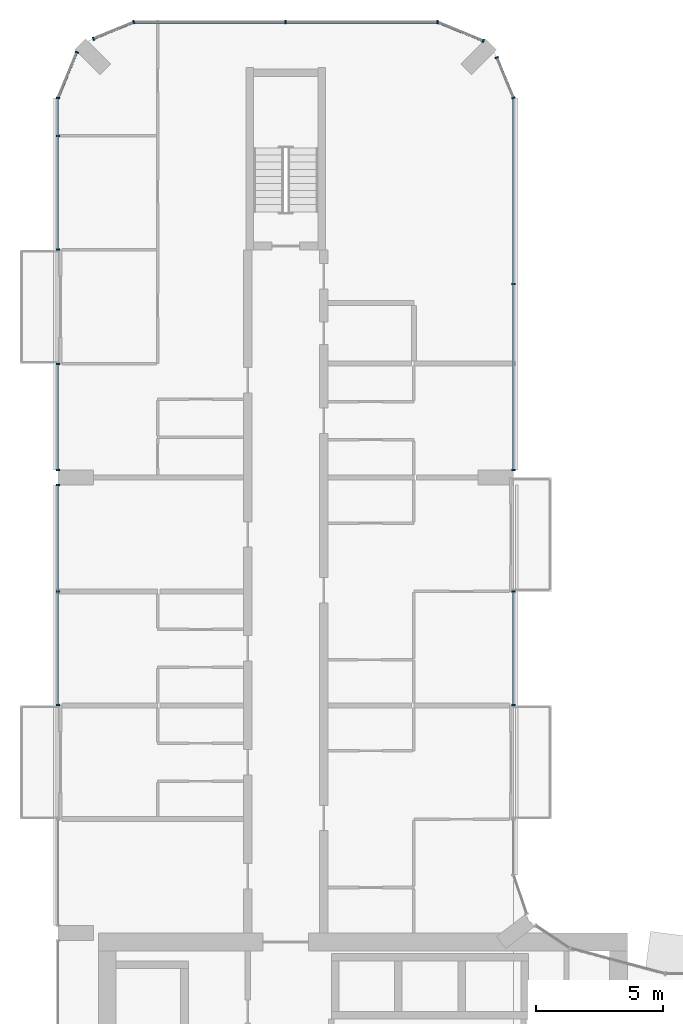
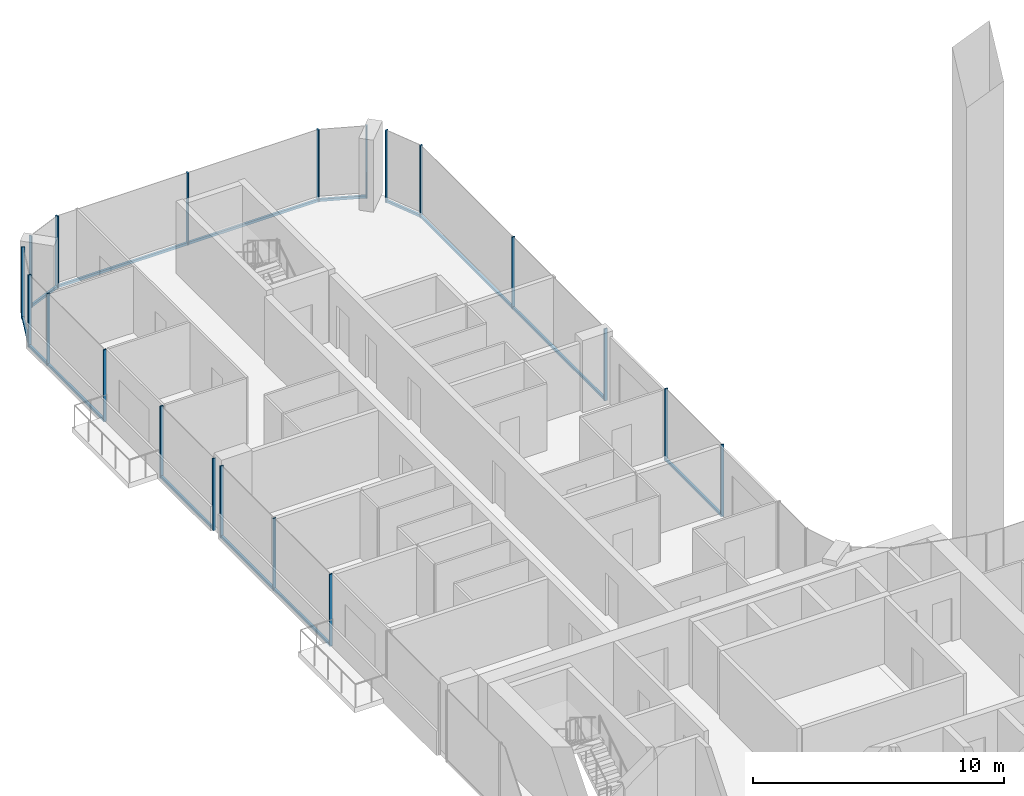
# One storey, part 6 of 27: 30 members, 10 elements without a shape of their own.
"""IFC4 building model written with IfcOpenShell, lengths in metres."""

from ifc_helpers import new_model, si_unit, direction, frame, origin, origin_2d, place, context, subcontext, project, spatial, rectangle, extrude, material, layer, layer_set, material_profile, profile_set, type_object, element, aggregate, save


model = new_model("IFC4")

# Units and contexts
model_context = context("Model", 3, precision=1e-05, world=origin(), true_north=direction((0.0, 1.0)))
body_context = subcontext(model_context, "Body", "Model", "MODEL_VIEW")
ifc_project = project(units=[si_unit("LENGTHUNIT", "METRE"), si_unit("AREAUNIT", "SQUARE_METRE"), si_unit("VOLUMEUNIT", "CUBIC_METRE"), si_unit("PLANEANGLEUNIT", "RADIAN"), si_unit("MASSUNIT", "GRAM", prefix="KILO")], contexts=[model_context])

# Site, building, storey
site_placement = place(None, origin())
site = spatial("IfcSite", under=ifc_project, at=site_placement, CompositionType="ELEMENT")
building_placement = place(site_placement, origin())
building = spatial("IfcBuilding", under=site, at=building_placement, Name="Plateau Cross Towers", CompositionType="ELEMENT")
storey_placement = place(building_placement, frame((0.0, 0.0, 78.300048828125)))
storey = spatial("IfcBuildingStorey", under=building, at=storey_placement, Name="L19", CompositionType="ELEMENT", Elevation=78.300048828125)

# Curtain wall, members
ifc_material_1 = material(Name="Dark low-iron glass", Category="glass")
ifc_layer = layer(ifc_material_1, 0.239990234375)
ifc_layer_set = layer_set([ifc_layer], Name="Dark low-iron glass")
curtain_wall_type = type_object("IfcCurtainWallType", Name="Curtain wall flush unitised CW-B", PredefinedType="NOTDEFINED", material=ifc_layer_set)
curtain_wall_1_placement = place(storey_placement, origin())
curtain_wall_1 = element("IfcCurtainWall", 1, at=curtain_wall_1_placement, inside=storey, type_object=curtain_wall_type, Name="ENV/A/L19/A180_270", PredefinedType="NOTDEFINED")
ifc_material_2 = material(Name="Black anodised aluminium", Category="aluminium")
ifc_material_profile_1 = material_profile(ifc_material_2, rectangle(XDim=0.06005859375, YDim=0.139892578125, at=origin_2d()), Name="MULLION 60x140")
ifc_profile_set_1 = profile_set([ifc_material_profile_1], Name="Black anodised aluminium")
member_type_1 = type_object("IfcMemberType", Name="Mullion 60x140 flush unitised", PredefinedType="MULLION", material=ifc_profile_set_1)
member_1_placement = place(storey_placement, frame((18.0, 27.010009765625, -0.25), z_axis=(0.0, 0.0, 1.0), x_axis=(0.0, 1.0, 0.0)))
member_1 = element("IfcMember", 2, at=member_1_placement, type_object=member_type_1, Name="CW-B mullion 1", PredefinedType="MULLION", context=body_context, shape_type="SweptSolid", body=[
    extrude(rectangle(XDim=0.06005859375, YDim=0.139892578125, at=origin_2d()), origin(), (0.0, 0.0, 1.0), 3.5),
])
member_2_placement = place(storey_placement, frame((18.0, 31.489990234375, -0.25), z_axis=(0.0, 0.0, 1.0), x_axis=(0.0, 1.0, 0.0)))
member_2 = element("IfcMember", 3, at=member_2_placement, type_object=member_type_1, Name="CW-B mullion 2", PredefinedType="MULLION", context=body_context, shape_type="SweptSolid", body=[
    extrude(rectangle(XDim=0.06005859375, YDim=0.139892578125, at=origin_2d()), origin(), (0.0, 0.0, 1.0), 3.5),
])

curtain_wall_2_placement = place(storey_placement, origin())
curtain_wall_2 = element("IfcCurtainWall", 4, at=curtain_wall_2_placement, inside=storey, type_object=curtain_wall_type, Name="ENV/A/L19/A180_363", PredefinedType="NOTDEFINED")
member_3_placement = place(storey_placement, frame((18.0, 36.300048828125, -0.25), z_axis=(0.0, 0.0, 1.0), x_axis=(0.0, 1.0, 0.0)))
member_3 = element("IfcMember", 5, at=member_3_placement, type_object=member_type_1, Name="CW-B mullion 1", PredefinedType="MULLION", context=body_context, shape_type="SweptSolid", body=[
    extrude(rectangle(XDim=0.06005859375, YDim=0.139892578125, at=origin_2d()), origin(), (0.0, 0.0, 1.0), 3.5),
])
member_4_placement = place(storey_placement, frame((18.0, 43.64990234375, -0.25), z_axis=(0.0, 0.0, 1.0), x_axis=(0.0, 1.0, 0.0)))
member_4 = element("IfcMember", 6, at=member_4_placement, type_object=member_type_1, Name="CW-B mullion 2", PredefinedType="MULLION", context=body_context, shape_type="SweptSolid", body=[
    extrude(rectangle(XDim=0.06005859375, YDim=0.139892578125, at=origin_2d()), origin(), (0.0, 0.0, 1.0), 3.5),
])

curtain_wall_3_placement = place(storey_placement, origin())
curtain_wall_3 = element("IfcCurtainWall", 7, at=curtain_wall_3_placement, inside=storey, type_object=curtain_wall_type, Name="ENV/A/L19/A180_510", PredefinedType="NOTDEFINED")
member_5_placement = place(storey_placement, frame((18.0, 51.0, -0.25), z_axis=(0.0, 0.0, 1.0), x_axis=(-0.382683612978, 0.923879457699, 0.0)))
member_5 = element("IfcMember", 8, at=member_5_placement, type_object=member_type_1, Name="CW-B mullion 1", PredefinedType="MULLION", context=body_context, shape_type="SweptSolid", body=[
    extrude(rectangle(XDim=0.06005859375, YDim=0.139892578125, at=origin_2d()), origin(), (0.0, 0.0, 1.0), 3.5),
])
member_6_placement = place(storey_placement, frame((17.338623046875, 52.5966796875, -0.25), z_axis=(0.0, 0.0, 1.0), x_axis=(-0.382683612978, 0.923879457699, 0.0)))
member_6 = element("IfcMember", 9, at=member_6_placement, type_object=member_type_1, Name="CW-B mullion 2", PredefinedType="MULLION", context=body_context, shape_type="SweptSolid", body=[
    extrude(rectangle(XDim=0.06005859375, YDim=0.139892578125, at=origin_2d()), origin(), (0.0, 0.0, 1.0), 3.5),
])

# Curtain wall, member
curtain_wall_4_placement = place(storey_placement, origin())
curtain_wall_4 = element("IfcCurtainWall", 10, at=curtain_wall_4_placement, inside=storey, type_object=curtain_wall_type, Name="ENV/A/L19/A168_533", PredefinedType="NOTDEFINED")
member_7_placement = place(storey_placement, frame((16.805908203125, 53.251953125, -0.25), z_axis=(0.0, 0.0, 1.0), x_axis=(-0.923879457699, 0.382683612978, 0.0)))
member_7 = element("IfcMember", 11, at=member_7_placement, type_object=member_type_1, Name="CW-B mullion 1", PredefinedType="MULLION", context=body_context, shape_type="SweptSolid", body=[
    extrude(rectangle(XDim=0.06005859375, YDim=0.139892578125, at=origin_2d()), origin(), (0.0, 0.0, 1.0), 3.5),
])

# Curtain wall, members
curtain_wall_5_placement = place(storey_placement, origin())
curtain_wall_5 = element("IfcCurtainWall", 12, at=curtain_wall_5_placement, inside=storey, type_object=curtain_wall_type, Name="ENV/A/L19/A150_540", PredefinedType="NOTDEFINED")
member_8_placement = place(storey_placement, frame((15.0, 54.0, -0.25), z_axis=(0.0, 0.0, 1.0), x_axis=(-1.0, 0.0, 0.0)))
member_8 = element("IfcMember", 13, at=member_8_placement, type_object=member_type_1, Name="CW-B mullion 1", PredefinedType="MULLION", context=body_context, shape_type="SweptSolid", body=[
    extrude(rectangle(XDim=0.06005859375, YDim=0.139892578125, at=origin_2d()), origin(), (0.0, 0.0, 1.0), 3.5),
])
member_9_placement = place(storey_placement, frame((9.0, 54.0, -0.25), z_axis=(0.0, 0.0, 1.0), x_axis=(-1.0, 0.0, 0.0)))
member_9 = element("IfcMember", 14, at=member_9_placement, type_object=member_type_1, Name="CW-B mullion 2", PredefinedType="MULLION", context=body_context, shape_type="SweptSolid", body=[
    extrude(rectangle(XDim=0.06005859375, YDim=0.139892578125, at=origin_2d()), origin(), (0.0, 0.0, 1.0), 3.5),
])

curtain_wall_6_placement = place(storey_placement, origin())
curtain_wall_6 = element("IfcCurtainWall", 15, at=curtain_wall_6_placement, inside=storey, type_object=curtain_wall_type, Name="ENV/A/L19/A30_540", PredefinedType="NOTDEFINED")
member_10_placement = place(storey_placement, frame((3.0, 54.0, -0.25), z_axis=(0.0, 0.0, 1.0), x_axis=(-0.923879457699, -0.382683612978, 0.0)))
member_10 = element("IfcMember", 16, at=member_10_placement, type_object=member_type_1, Name="CW-B mullion 1", PredefinedType="MULLION", context=body_context, shape_type="SweptSolid", body=[
    extrude(rectangle(XDim=0.06005859375, YDim=0.139892578125, at=origin_2d()), origin(), (0.0, 0.0, 1.0), 3.5),
])
member_11_placement = place(storey_placement, frame((1.4033203125, 53.338623046875, -0.25), z_axis=(0.0, 0.0, 1.0), x_axis=(-0.923879457699, -0.382683612978, 0.0)))
member_11 = element("IfcMember", 17, at=member_11_placement, type_object=member_type_1, Name="CW-B mullion 2", PredefinedType="MULLION", context=body_context, shape_type="SweptSolid", body=[
    extrude(rectangle(XDim=0.06005859375, YDim=0.139892578125, at=origin_2d()), origin(), (0.0, 0.0, 1.0), 3.5),
])

# Curtain wall, member
curtain_wall_7_placement = place(storey_placement, origin())
curtain_wall_7 = element("IfcCurtainWall", 18, at=curtain_wall_7_placement, inside=storey, type_object=curtain_wall_type, Name="ENV/A/L19/A7_528", PredefinedType="NOTDEFINED")
member_12_placement = place(storey_placement, frame((0.748046875, 52.805908203125, -0.25), z_axis=(0.0, 0.0, 1.0), x_axis=(-0.382683612978, -0.923879457699, 0.0)))
member_12 = element("IfcMember", 19, at=member_12_placement, type_object=member_type_1, Name="CW-B mullion 1", PredefinedType="MULLION", context=body_context, shape_type="SweptSolid", body=[
    extrude(rectangle(XDim=0.06005859375, YDim=0.139892578125, at=origin_2d()), origin(), (0.0, 0.0, 1.0), 3.5),
])

# Curtain wall, members
curtain_wall_8_placement = place(storey_placement, origin())
curtain_wall_8 = element("IfcCurtainWall", 20, at=curtain_wall_8_placement, inside=storey, type_object=curtain_wall_type, Name="ENV/A/L19/A0_510", PredefinedType="NOTDEFINED")
member_13_placement = place(storey_placement, frame((0.0, 51.0, -0.25), z_axis=(0.0, 0.0, 1.0), x_axis=(0.0, -1.0, 0.0)))
member_13 = element("IfcMember", 21, at=member_13_placement, type_object=member_type_1, Name="CW-B mullion 1", PredefinedType="MULLION", context=body_context, shape_type="SweptSolid", body=[
    extrude(rectangle(XDim=0.06005859375, YDim=0.139892578125, at=origin_2d()), origin(), (0.0, 0.0, 1.0), 3.5),
])
member_14_placement = place(storey_placement, frame((0.0, 49.5, -0.25), z_axis=(0.0, 0.0, 1.0), x_axis=(0.0, -1.0, 0.0)))
member_14 = element("IfcMember", 22, at=member_14_placement, type_object=member_type_1, Name="CW-B mullion 2", PredefinedType="MULLION", context=body_context, shape_type="SweptSolid", body=[
    extrude(rectangle(XDim=0.06005859375, YDim=0.139892578125, at=origin_2d()), origin(), (0.0, 0.0, 1.0), 3.5),
])
member_15_placement = place(storey_placement, frame((0.0, 45.010009765625, -0.25), z_axis=(0.0, 0.0, 1.0), x_axis=(0.0, -1.0, 0.0)))
member_15 = element("IfcMember", 23, at=member_15_placement, type_object=member_type_1, Name="CW-B mullion 3", PredefinedType="MULLION", context=body_context, shape_type="SweptSolid", body=[
    extrude(rectangle(XDim=0.06005859375, YDim=0.139892578125, at=origin_2d()), origin(), (0.0, 0.0, 1.0), 3.5),
])

curtain_wall_9_placement = place(storey_placement, origin())
curtain_wall_9 = element("IfcCurtainWall", 24, at=curtain_wall_9_placement, inside=storey, type_object=curtain_wall_type, Name="ENV/A/L19/A0_405", PredefinedType="NOTDEFINED")
member_16_placement = place(storey_placement, frame((0.0, 40.489990234375, -0.25), z_axis=(0.0, 0.0, 1.0), x_axis=(0.0, -1.0, 0.0)))
member_16 = element("IfcMember", 25, at=member_16_placement, type_object=member_type_1, Name="CW-B mullion 1", PredefinedType="MULLION", context=body_context, shape_type="SweptSolid", body=[
    extrude(rectangle(XDim=0.06005859375, YDim=0.139892578125, at=origin_2d()), origin(), (0.0, 0.0, 1.0), 3.5),
])
member_17_placement = place(storey_placement, frame((0.0, 36.300048828125, -0.25), z_axis=(0.0, 0.0, 1.0), x_axis=(0.0, -1.0, 0.0)))
member_17 = element("IfcMember", 26, at=member_17_placement, type_object=member_type_1, Name="CW-B mullion 2", PredefinedType="MULLION", context=body_context, shape_type="SweptSolid", body=[
    extrude(rectangle(XDim=0.06005859375, YDim=0.139892578125, at=origin_2d()), origin(), (0.0, 0.0, 1.0), 3.5),
])

curtain_wall_10_placement = place(storey_placement, origin())
curtain_wall_10 = element("IfcCurtainWall", 27, at=curtain_wall_10_placement, inside=storey, type_object=curtain_wall_type, Name="ENV/A/L19/A0_357", PredefinedType="NOTDEFINED")
member_18_placement = place(storey_placement, frame((0.0, 35.699951171875, -0.25), z_axis=(0.0, 0.0, 1.0), x_axis=(0.0, -1.0, 0.0)))
member_18 = element("IfcMember", 28, at=member_18_placement, type_object=member_type_1, Name="CW-B mullion 1", PredefinedType="MULLION", context=body_context, shape_type="SweptSolid", body=[
    extrude(rectangle(XDim=0.06005859375, YDim=0.139892578125, at=origin_2d()), origin(), (0.0, 0.0, 1.0), 3.5),
])
member_19_placement = place(storey_placement, frame((0.0, 31.5, -0.25), z_axis=(0.0, 0.0, 1.0), x_axis=(0.0, -1.0, 0.0)))
member_19 = element("IfcMember", 29, at=member_19_placement, type_object=member_type_1, Name="CW-B mullion 2", PredefinedType="MULLION", context=body_context, shape_type="SweptSolid", body=[
    extrude(rectangle(XDim=0.06005859375, YDim=0.139892578125, at=origin_2d()), origin(), (0.0, 0.0, 1.0), 3.5),
])
member_20_placement = place(storey_placement, frame((0.0, 27.010009765625, -0.25), z_axis=(0.0, 0.0, 1.0), x_axis=(0.0, -1.0, 0.0)))
member_20 = element("IfcMember", 30, at=member_20_placement, type_object=member_type_1, Name="CW-B mullion 3", PredefinedType="MULLION", context=body_context, shape_type="SweptSolid", body=[
    extrude(rectangle(XDim=0.06005859375, YDim=0.139892578125, at=origin_2d()), origin(), (0.0, 0.0, 1.0), 3.5),
])

# Member
ifc_material_profile_2 = material_profile(ifc_material_2, rectangle(XDim=0.10009765625, YDim=0.1201171875, at=origin_2d()), Name="TRANSOM 100x120")
ifc_profile_set_2 = profile_set([ifc_material_profile_2], Name="Black anodised aluminium")
member_type_2 = type_object("IfcMemberType", Name="Transom 100x120 flush unitised", PredefinedType="USERDEFINED", material=ifc_profile_set_2)
member_21_placement = place(storey_placement, frame((18.0, 27.010009765625, -0.18994140625), z_axis=(0.0, 1.0, 0.0), x_axis=(-1.0, 0.0, 0.0)))
member_21 = element("IfcMember", 31, at=member_21_placement, type_object=member_type_2, Name="CW-B transom", ObjectType="TRANSOM", PredefinedType="USERDEFINED", context=body_context, shape_type="SweptSolid", body=[
    extrude(rectangle(XDim=0.10009765625, YDim=0.1201171875, at=origin_2d()), origin(), (0.0, 0.0, 1.0), 4.47998046875),
])

aggregate(curtain_wall_1, [member_1, member_2, member_21])

member_22_placement = place(storey_placement, frame((18.0, 36.300048828125, -0.18994140625), z_axis=(0.0, 1.0, 0.0), x_axis=(-1.0, 0.0, 0.0)))
member_22 = element("IfcMember", 32, at=member_22_placement, type_object=member_type_2, Name="CW-B transom", ObjectType="TRANSOM", PredefinedType="USERDEFINED", context=body_context, shape_type="SweptSolid", body=[
    extrude(rectangle(XDim=0.10009765625, YDim=0.1201171875, at=origin_2d()), origin(), (0.0, 0.0, 1.0), 14.699951171875),
])

aggregate(curtain_wall_2, [member_3, member_4, member_22])

member_23_placement = place(storey_placement, frame((18.0, 51.0, -0.18994140625), z_axis=(-0.382688653628, 0.923877369776, 0.0), x_axis=(-0.923877369776, -0.382688653628, 0.0)))
member_23 = element("IfcMember", 33, at=member_23_placement, type_object=member_type_2, Name="CW-B transom", ObjectType="TRANSOM", PredefinedType="USERDEFINED", context=body_context, shape_type="SweptSolid", body=[
    extrude(rectangle(XDim=0.10009765625, YDim=0.1201171875, at=origin_2d()), origin(), (0.0, 0.0, 1.0), 1.728271484375),
])

aggregate(curtain_wall_3, [member_5, member_6, member_23])

member_24_placement = place(storey_placement, frame((16.805908203125, 53.251953125, -0.18994140625), z_axis=(-0.92387678234, 0.382690071798, 0.0), x_axis=(-0.382690071798, -0.92387678234, 0.0)))
member_24 = element("IfcMember", 34, at=member_24_placement, type_object=member_type_2, Name="CW-B transom", ObjectType="TRANSOM", PredefinedType="USERDEFINED", context=body_context, shape_type="SweptSolid", body=[
    extrude(rectangle(XDim=0.10009765625, YDim=0.1201171875, at=origin_2d()), origin(), (0.0, 0.0, 1.0), 1.95458984375),
])

aggregate(curtain_wall_4, [member_7, member_24])

member_25_placement = place(storey_placement, frame((15.0, 54.0, -0.18994140625), z_axis=(-1.0, 0.0, 0.0), x_axis=(0.0, -1.0, 0.0)))
member_25 = element("IfcMember", 35, at=member_25_placement, type_object=member_type_2, Name="CW-B transom", ObjectType="TRANSOM", PredefinedType="USERDEFINED", context=body_context, shape_type="SweptSolid", body=[
    extrude(rectangle(XDim=0.10009765625, YDim=0.1201171875, at=origin_2d()), origin(), (0.0, 0.0, 1.0), 12.0),
])

aggregate(curtain_wall_5, [member_8, member_9, member_25])

member_26_placement = place(storey_placement, frame((3.0, 54.0, -0.18994140625), z_axis=(-0.923877369776, -0.382688653628, 0.0), x_axis=(0.382688653628, -0.923877369776, 0.0)))
member_26 = element("IfcMember", 36, at=member_26_placement, type_object=member_type_2, Name="CW-B transom", ObjectType="TRANSOM", PredefinedType="USERDEFINED", context=body_context, shape_type="SweptSolid", body=[
    extrude(rectangle(XDim=0.10009765625, YDim=0.1201171875, at=origin_2d()), origin(), (0.0, 0.0, 1.0), 1.728271484375),
])

aggregate(curtain_wall_6, [member_10, member_11, member_26])

member_27_placement = place(storey_placement, frame((0.748046875, 52.805908203125, -0.18994140625), z_axis=(-0.382690071798, -0.92387678234, 0.0), x_axis=(0.92387678234, -0.382690071798, 0.0)))
member_27 = element("IfcMember", 37, at=member_27_placement, type_object=member_type_2, Name="CW-B transom", ObjectType="TRANSOM", PredefinedType="USERDEFINED", context=body_context, shape_type="SweptSolid", body=[
    extrude(rectangle(XDim=0.10009765625, YDim=0.1201171875, at=origin_2d()), origin(), (0.0, 0.0, 1.0), 1.95458984375),
])

aggregate(curtain_wall_7, [member_12, member_27])

member_28_placement = place(storey_placement, frame((0.0, 51.0, -0.18994140625), z_axis=(0.0, -1.0, 0.0), x_axis=(1.0, 0.0, 0.0)))
member_28 = element("IfcMember", 38, at=member_28_placement, type_object=member_type_2, Name="CW-B transom", ObjectType="TRANSOM", PredefinedType="USERDEFINED", context=body_context, shape_type="SweptSolid", body=[
    extrude(rectangle(XDim=0.10009765625, YDim=0.1201171875, at=origin_2d()), origin(), (0.0, 0.0, 1.0), 5.989990234375),
])

aggregate(curtain_wall_8, [member_13, member_14, member_15, member_28])

member_29_placement = place(storey_placement, frame((0.0, 40.489990234375, -0.18994140625), z_axis=(0.0, -1.0, 0.0), x_axis=(1.0, 0.0, 0.0)))
member_29 = element("IfcMember", 39, at=member_29_placement, type_object=member_type_2, Name="CW-B transom", ObjectType="TRANSOM", PredefinedType="USERDEFINED", context=body_context, shape_type="SweptSolid", body=[
    extrude(rectangle(XDim=0.10009765625, YDim=0.1201171875, at=origin_2d()), origin(), (0.0, 0.0, 1.0), 4.18994140625),
])

aggregate(curtain_wall_9, [member_16, member_17, member_29])

member_30_placement = place(storey_placement, frame((0.0, 35.699951171875, -0.18994140625), z_axis=(0.0, -1.0, 0.0), x_axis=(1.0, 0.0, 0.0)))
member_30 = element("IfcMember", 40, at=member_30_placement, type_object=member_type_2, Name="CW-B transom", ObjectType="TRANSOM", PredefinedType="USERDEFINED", context=body_context, shape_type="SweptSolid", body=[
    extrude(rectangle(XDim=0.10009765625, YDim=0.1201171875, at=origin_2d()), origin(), (0.0, 0.0, 1.0), 8.68994140625),
])

aggregate(curtain_wall_10, [member_18, member_19, member_20, member_30])

save(model, "model.ifc")
